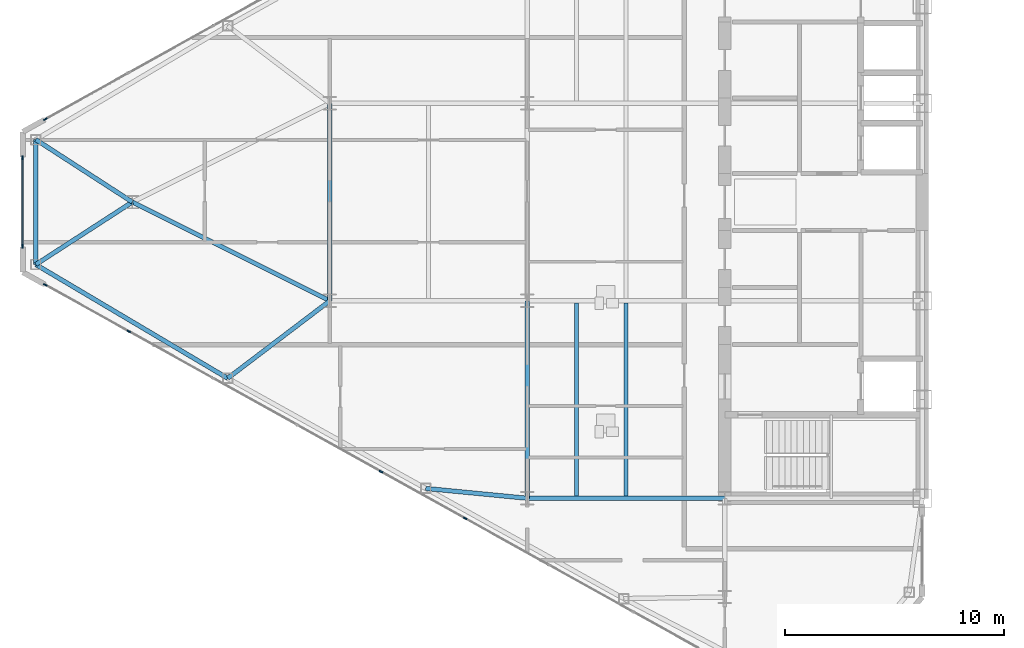
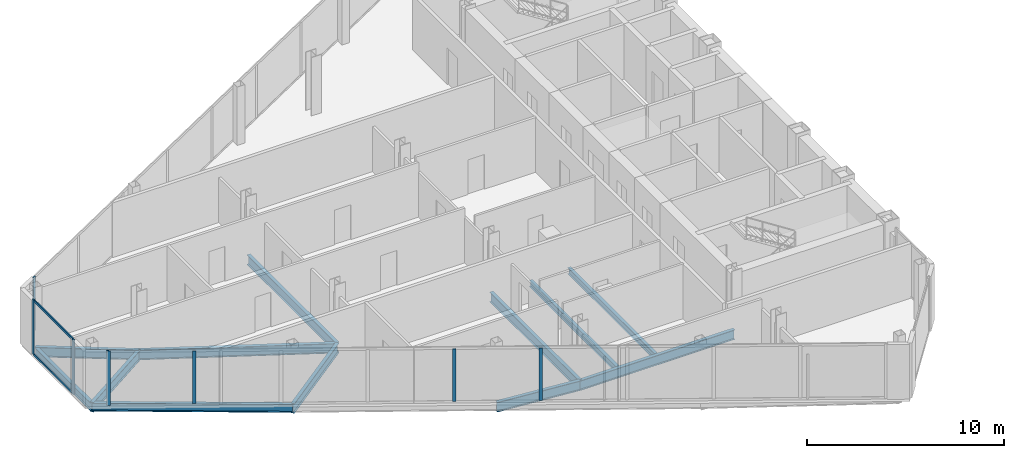
# One storey, part 5 of 26: 12 beams, 9 members, 3 elements without a shape of their own.
"""IFC4 building model written with IfcOpenShell, lengths in metres."""

from ifc_helpers import new_model, si_unit, direction, frame, origin, origin_2d, place, context, subcontext, project, spatial, rectangle, i_section, extrude, source, transform, mapped, material, layer, layer_set, material_profile, profile_set, type_object, type_shapes, element, aggregate, save


model = new_model("IFC4")

# Units and contexts
model_context = context("Model", 3, precision=1e-05, world=origin(), true_north=direction((0.0, 1.0)))
body_context = subcontext(model_context, "Body", "Model", "MODEL_VIEW")
ifc_project = project(units=[si_unit("LENGTHUNIT", "METRE"), si_unit("AREAUNIT", "SQUARE_METRE"), si_unit("VOLUMEUNIT", "CUBIC_METRE"), si_unit("PLANEANGLEUNIT", "RADIAN"), si_unit("MASSUNIT", "GRAM", prefix="KILO")], contexts=[model_context])

# Site, building, storey
site_placement = place(None, origin())
site = spatial("IfcSite", under=ifc_project, at=site_placement, CompositionType="ELEMENT")
building_placement = place(site_placement, origin())
building = spatial("IfcBuilding", under=site, at=building_placement, Name="Seokmaru Belvedere", CompositionType="ELEMENT")
storey_placement = place(building_placement, frame((0.0, 0.0, 177.89990234375)))
storey = spatial("IfcBuildingStorey", under=building, at=storey_placement, Name="L47", CompositionType="ELEMENT", Elevation=177.89990234375)

# Beams
ifc_material_1 = material(Name="Steel SM355 (355 MPa)", Category="steel")
ifc_material_profile_1 = material_profile(ifc_material_1, i_section(OverallWidth=0.199951171875, OverallDepth=0.60009765625, WebThickness=0.010986328125, FlangeThickness=0.01708984375, at=origin_2d()), Name="H-600x200x11x17")
ifc_profile_set_1 = profile_set([ifc_material_profile_1], Name="Steel SM355 (355 MPa)")
beam_type_1 = type_object("IfcBeamType", Name="Primary Floor Girder H-600", PredefinedType="BEAM", material=ifc_profile_set_1)
shared_shape_1 = source(origin(), body_context, "Body", "SweptSolid", [
    extrude(i_section(OverallWidth=0.199951171875, OverallDepth=0.60009765625, WebThickness=0.010986328125, FlangeThickness=0.01708984375, at=origin_2d()), origin(), (0.0, 0.0, 1.0), 9.0),
])
for number, where, z_axis, x_axis, name in (
    (1, (-45.5, -13.5, -0.52001953125), (0.0, 1.0, 0.0), (-1.0, 0.0, 0.0), "L47 W Interior Grid Girder 1"),
    (2, (-45.5, -13.5, -0.52001953125), (1.0, 0.0, 0.0), (0.0, 1.0, 0.0), "L47 W Wing Primary Girder 1"),
    (3, (-54.5, -4.5, -0.52001953125), (0.0, 1.0, 0.0), (-1.0, 0.0, 0.0), "L47 W Apex Frame Girder"),
):
    element("IfcBeam", number, at=place(storey_placement, frame(where, z_axis=z_axis, x_axis=x_axis)), inside=storey, type_object=beam_type_1, Name=name, PredefinedType="BEAM", context=body_context, shape_type="MappedRepresentation", body=[
        mapped(shared_shape_1, transform((0.0, 0.0, 0.0), scale=1.0)),
    ])
shared_shape_2 = source(origin(), body_context, "Body", "SweptSolid", [
    extrude(i_section(OverallWidth=0.199951171875, OverallDepth=0.60009765625, WebThickness=0.010986328125, FlangeThickness=0.01708984375, at=origin_2d()), origin(), (0.0, 0.0, 1.0), 10.062255859375),
])
beam_1_placement = place(storey_placement, frame((-54.5, -4.5, -0.52001953125), z_axis=(-0.894427191, 0.4472135955, 0.0), x_axis=(-0.4472135955, -0.894427191, 0.0)))
element("IfcBeam", 4, at=beam_1_placement, inside=storey, type_object=beam_type_1, Name="L47 W Apex Converging Girder 1", PredefinedType="BEAM", context=body_context, shape_type="MappedRepresentation", body=[
    mapped(shared_shape_2, transform((0.0, 0.0, 0.0), scale=1.0)),
])
ifc_material_profile_2 = material_profile(ifc_material_1, i_section(OverallWidth=0.18505859375, OverallDepth=0.389892578125, WebThickness=0.008056640625, FlangeThickness=0.011962890625, at=origin_2d()), Name="H-390x185x8x12")
ifc_profile_set_2 = profile_set([ifc_material_profile_2], Name="Steel SM355 (355 MPa)")
beam_type_2 = type_object("IfcBeamType", Name="Secondary Floor Joist H-350", PredefinedType="JOIST", material=ifc_profile_set_2)
shared_shape_3 = source(origin(), body_context, "Body", "SweptSolid", [
    extrude(i_section(OverallWidth=0.18505859375, OverallDepth=0.389892578125, WebThickness=0.008056640625, FlangeThickness=0.011962890625, at=origin_2d()), origin(), (0.0, 0.0, 1.0), 8.7900390625),
])
type_shapes(beam_type_2, [shared_shape_3])
for number, where, z_axis, x_axis, name in (
    (5, (-43.25, -13.39501953125, -0.414794921875), (0.0, 1.0, 0.0), (-1.0, 0.0, 0.0), "L47 W Wing Inner Secondary Joist 1"),
    (6, (-41.0, -13.39501953125, -0.414794921875), (0.0, 1.0, 0.0), (-1.0, 0.0, 0.0), "L47 W Secondary Floor Joist 1"),
):
    element("IfcBeam", number, at=place(storey_placement, frame(where, z_axis=z_axis, x_axis=x_axis)), inside=storey, type_object=beam_type_2, Name=name, PredefinedType="JOIST", context=body_context, shape_type="MappedRepresentation", body=[
        mapped(shared_shape_3, transform((0.0, 0.0, 0.0), scale=1.0)),
    ])
ifc_material_profile_3 = material_profile(ifc_material_1, i_section(OverallWidth=0.199951171875, OverallDepth=0.5, WebThickness=0.010009765625, FlangeThickness=0.01611328125, at=origin_2d()), Name="H-500x200x10x16")
ifc_profile_set_3 = profile_set([ifc_material_profile_3], Name="Steel SM355 (355 MPa)")
beam_type_3 = type_object("IfcBeamType", Name="Perimeter Spandrel Beam H-500", PredefinedType="SPANDREL", material=ifc_profile_set_3)
shared_shape_4 = source(origin(), body_context, "Body", "SweptSolid", [
    extrude(i_section(OverallWidth=0.199951171875, OverallDepth=0.5, WebThickness=0.010009765625, FlangeThickness=0.01611328125, at=origin_2d()), origin(), (0.0, 0.0, 1.0), 10.16650390625),
])
beam_2_placement = place(storey_placement, frame((-59.154541015625, -8.031494140625, -0.469970703125), z_axis=(-0.860209996506, 0.509939959124, 0.0), x_axis=(-0.509939959124, -0.860209996506, 0.0)))
element("IfcBeam", 7, at=beam_2_placement, inside=storey, type_object=beam_type_3, Name="L47 W Faceted Flank Spandrel S-4", PredefinedType="SPANDREL", context=body_context, shape_type="MappedRepresentation", body=[
    mapped(shared_shape_4, transform((0.0, 0.0, 0.0), scale=1.0)),
])
shared_shape_5 = source(origin(), body_context, "Body", "SweptSolid", [
    extrude(i_section(OverallWidth=0.199951171875, OverallDepth=0.5, WebThickness=0.010009765625, FlangeThickness=0.01611328125, at=origin_2d()), origin(), (0.0, 0.0, 1.0), 5.6943359375),
])
type_shapes(beam_type_3, [shared_shape_4, shared_shape_5])
beam_3_placement = place(storey_placement, frame((-67.89990234375, -2.84716796875, -0.469970703125), z_axis=(0.0, 1.0, 0.0), x_axis=(-1.0, 0.0, 0.0)))
element("IfcBeam", 8, at=beam_3_placement, inside=storey, type_object=beam_type_3, Name="L47 W Faceted Apex Spandrel", PredefinedType="SPANDREL", context=body_context, shape_type="MappedRepresentation", body=[
    mapped(shared_shape_5, transform((0.0, 0.0, 0.0), scale=1.0)),
])
shared_shape_6 = source(origin(), body_context, "Body", "SweptSolid", [
    extrude(i_section(OverallWidth=0.199951171875, OverallDepth=0.60009765625, WebThickness=0.010986328125, FlangeThickness=0.01708984375, at=origin_2d()), origin(), (0.0, 0.0, 1.0), 4.65087890625),
])
beam_4_placement = place(storey_placement, frame((-50.129150390625, -13.051025390625, -0.52001953125), z_axis=(0.995329534874, -0.09653557379, 0.0), x_axis=(0.09653557379, 0.995329534874, 0.0)))
element("IfcBeam", 9, at=beam_4_placement, inside=storey, type_object=beam_type_1, Name="L47 W Flank Radial Floor Girder S-2", PredefinedType="BEAM", context=body_context, shape_type="MappedRepresentation", body=[
    mapped(shared_shape_6, transform((0.0, 0.0, 0.0), scale=1.0)),
])
shared_shape_7 = source(origin(), body_context, "Body", "SweptSolid", [
    extrude(i_section(OverallWidth=0.199951171875, OverallDepth=0.60009765625, WebThickness=0.010986328125, FlangeThickness=0.01708984375, at=origin_2d()), origin(), (0.0, 0.0, 1.0), 5.842529296875),
])
beam_5_placement = place(storey_placement, frame((-59.154541015625, -8.031494140625, -0.52001953125), z_axis=(0.796653109879, 0.604436781243, 0.0), x_axis=(-0.604436781243, 0.796653109879, 0.0)))
element("IfcBeam", 10, at=beam_5_placement, inside=storey, type_object=beam_type_1, Name="L47 W Flank Radial Floor Girder S-3", PredefinedType="BEAM", context=body_context, shape_type="MappedRepresentation", body=[
    mapped(shared_shape_7, transform((0.0, 0.0, 0.0), scale=1.0)),
])
shared_shape_8 = source(origin(), body_context, "Body", "SweptSolid", [
    extrude(i_section(OverallWidth=0.199951171875, OverallDepth=0.60009765625, WebThickness=0.010986328125, FlangeThickness=0.01708984375, at=origin_2d()), origin(), (0.0, 0.0, 1.0), 5.24072265625),
])
type_shapes(beam_type_1, [shared_shape_1, shared_shape_2, shared_shape_6, shared_shape_7, shared_shape_8])
for number, where, z_axis, x_axis, name in (
    (11, (-67.89990234375, -2.84716796875, -0.52001953125), (0.839555158729, 0.543274456836, 0.0), (-0.543274456836, 0.839555158729, 0.0), "L47 W Apex Radial Floor Girder 1"),
    (12, (-67.89990234375, 2.84716796875, -0.52001953125), (0.839555158729, -0.543274456836, 0.0), (0.543274456836, 0.839555158729, 0.0), "L47 W Apex Radial Floor Girder 2"),
):
    element("IfcBeam", number, at=place(storey_placement, frame(where, z_axis=z_axis, x_axis=x_axis)), inside=storey, type_object=beam_type_1, Name=name, PredefinedType="BEAM", context=body_context, shape_type="MappedRepresentation", body=[
        mapped(shared_shape_8, transform((0.0, 0.0, 0.0), scale=1.0)),
    ])

# Curtain wall, members
ifc_material_2 = material(Name="Bronze Triple Insulating Glass", Category="glass")
ifc_layer = layer(ifc_material_2, 0.179931640625)
ifc_layer_set = layer_set([ifc_layer], Name="Bronze Triple Insulating Glass")
curtain_wall_type = type_object("IfcCurtainWallType", Name="High-Rise Wind-Corner Curtain Wall System CW-5", PredefinedType="NOTDEFINED", material=ifc_layer_set)
curtain_wall_1_placement = place(storey_placement, origin())
curtain_wall_1 = element("IfcCurtainWall", 13, at=curtain_wall_1_placement, inside=storey, type_object=curtain_wall_type, Name="L47 Curtain Wall WF4", PredefinedType="NOTDEFINED")
ifc_material_3 = material(Name="Anodised Bronze Aluminium", Category="aluminium")
ifc_material_profile_4 = material_profile(ifc_material_3, rectangle(XDim=0.06494140625, YDim=0.14990234375, at=origin_2d()), Name="CW-T-65x150")
ifc_profile_set_4 = profile_set([ifc_material_profile_4], Name="Anodised Bronze Aluminium")
member_type_1 = type_object("IfcMemberType", Name="Bronze Unitised Transom 65x150", PredefinedType="USERDEFINED", material=ifc_profile_set_4)
shared_shape_9 = source(origin(), body_context, "Body", "SweptSolid", [
    extrude(rectangle(XDim=0.06494140625, YDim=0.14990234375, at=origin_2d()), origin(), (0.0, 0.0, 1.0), 3.97021484375),
])
type_shapes(member_type_1, [shared_shape_9])
member_1_placement = place(storey_placement, frame((-68.5, 1.985107421875, 0.03271484375), z_axis=(0.0, -1.0, 0.0), x_axis=(1.0, 0.0, 0.0)))
member_1 = element("IfcMember", 14, at=member_1_placement, type_object=member_type_1, Name="CW:L47:WF4 Continuous Transom 1", ObjectType="TRANSOM", PredefinedType="USERDEFINED", context=body_context, shape_type="MappedRepresentation", body=[
    mapped(shared_shape_9, transform((0.0, 0.0, 0.0), scale=1.0)),
])
member_2_placement = place(storey_placement, frame((-68.5, 1.985107421875, 3.34765625), z_axis=(0.0, -1.0, 0.0), x_axis=(1.0, 0.0, 0.0)))
member_2 = element("IfcMember", 15, at=member_2_placement, type_object=member_type_1, Name="CW:L47:WF4 Continuous Transom 2", ObjectType="TRANSOM", PredefinedType="USERDEFINED", context=body_context, shape_type="MappedRepresentation", body=[
    mapped(shared_shape_9, transform((0.0, 0.0, 0.0), scale=1.0)),
])

curtain_wall_2_placement = place(storey_placement, origin())
curtain_wall_2 = element("IfcCurtainWall", 16, at=curtain_wall_2_placement, inside=storey, type_object=curtain_wall_type, Name="L47 Curtain Wall WF5", PredefinedType="NOTDEFINED")
ifc_material_profile_5 = material_profile(ifc_material_3, rectangle(XDim=0.06494140625, YDim=0.179931640625, at=origin_2d()), Name="CW-M-65x180")
ifc_profile_set_5 = profile_set([ifc_material_profile_5], Name="Anodised Bronze Aluminium")
member_type_2 = type_object("IfcMemberType", Name="Bronze Unitised Mullion 65x180", PredefinedType="MULLION", material=ifc_profile_set_5)
shared_shape_10 = source(origin(), body_context, "Body", "SweptSolid", [
    extrude(rectangle(XDim=0.06494140625, YDim=0.179931640625, at=origin_2d()), origin(), (0.0, 0.0, 1.0), 3.25),
])
member_3_placement = place(storey_placement, frame((-63.662841796875, -5.890380859375, 0.065185546875), z_axis=(0.0, 0.0, 1.0), x_axis=(0.486047125147, 0.873932601598, 0.0)))
member_3 = element("IfcMember", 17, at=member_3_placement, type_object=member_type_2, Name="CW:L47:WF5 Mullion 2", PredefinedType="MULLION", context=body_context, shape_type="MappedRepresentation", body=[
    mapped(shared_shape_10, transform((0.0, 0.0, 0.0), scale=1.0)),
])
member_4_placement = place(storey_placement, frame((-52.166015625, -12.2841796875, 0.065185546875), z_axis=(0.0, 0.0, 1.0), x_axis=(0.486047125147, 0.873932601598, 0.0)))
member_4 = element("IfcMember", 18, at=member_4_placement, type_object=member_type_2, Name="CW:L47:WF5 Mullion 5", PredefinedType="MULLION", context=body_context, shape_type="MappedRepresentation", body=[
    mapped(shared_shape_10, transform((0.0, 0.0, 0.0), scale=1.0)),
])
member_5_placement = place(storey_placement, frame((-48.333984375, -14.415771484375, 0.065185546875), z_axis=(0.0, 0.0, 1.0), x_axis=(0.486047125147, 0.873932601598, 0.0)))
member_5 = element("IfcMember", 19, at=member_5_placement, type_object=member_type_2, Name="CW:L47:WF5 Mullion 6", PredefinedType="MULLION", context=body_context, shape_type="MappedRepresentation", body=[
    mapped(shared_shape_10, transform((0.0, 0.0, 0.0), scale=1.0)),
])

# Curtain wall, member
curtain_wall_3_placement = place(storey_placement, origin())
curtain_wall_3 = element("IfcCurtainWall", 20, at=curtain_wall_3_placement, inside=storey, type_object=curtain_wall_type, Name="L47 Curtain Wall WF3", PredefinedType="NOTDEFINED")
shared_shape_11 = source(origin(), body_context, "Body", "SweptSolid", [
    extrude(rectangle(XDim=0.06494140625, YDim=0.179931640625, at=origin_2d()), origin(), (0.0, 0.0, 1.0), 3.380126953125),
])
type_shapes(member_type_2, [shared_shape_10, shared_shape_11])
member_6_placement = place(storey_placement, frame((-67.466552734375, 3.77490234375, 0.0), z_axis=(0.0, 0.0, 1.0), x_axis=(0.486047125147, -0.873932601598, 0.0)))
member_6 = element("IfcMember", 21, at=member_6_placement, type_object=member_type_2, Name="CW:L47:WF3 Mullion 10", PredefinedType="MULLION", context=body_context, shape_type="MappedRepresentation", body=[
    mapped(shared_shape_11, transform((0.0, 0.0, 0.0), scale=1.0)),
])
aggregate(curtain_wall_3, [member_6])

# Member
member_7_placement = place(storey_placement, frame((-68.5, 2.017578125, 0.0), z_axis=(0.0, 0.0, 1.0), x_axis=(1.0, 0.0, 0.0)))
member_7 = element("IfcMember", 22, at=member_7_placement, type_object=member_type_2, Name="CW:L47:WF4 Mullion 1", PredefinedType="MULLION", context=body_context, shape_type="MappedRepresentation", body=[
    mapped(shared_shape_11, transform((0.0, 0.0, 0.0), scale=1.0)),
])

member_8_placement = place(storey_placement, frame((-68.5, -2.017578125, 0.0), z_axis=(0.0, 0.0, 1.0), x_axis=(1.0, 0.0, 0.0)))
member_8 = element("IfcMember", 23, at=member_8_placement, type_object=member_type_2, Name="CW:L47:WF4 Mullion 2", PredefinedType="MULLION", context=body_context, shape_type="MappedRepresentation", body=[
    mapped(shared_shape_11, transform((0.0, 0.0, 0.0), scale=1.0)),
])

aggregate(curtain_wall_1, [member_7, member_8, member_1, member_2])

member_9_placement = place(storey_placement, frame((-67.466552734375, -3.77490234375, 0.0), z_axis=(0.0, 0.0, 1.0), x_axis=(0.486047125147, 0.873932601598, 0.0)))
member_9 = element("IfcMember", 24, at=member_9_placement, type_object=member_type_2, Name="CW:L47:WF5 Mullion 1", PredefinedType="MULLION", context=body_context, shape_type="MappedRepresentation", body=[
    mapped(shared_shape_11, transform((0.0, 0.0, 0.0), scale=1.0)),
])

aggregate(curtain_wall_2, [member_9, member_3, member_4, member_5])

save(model, "model.ifc")
